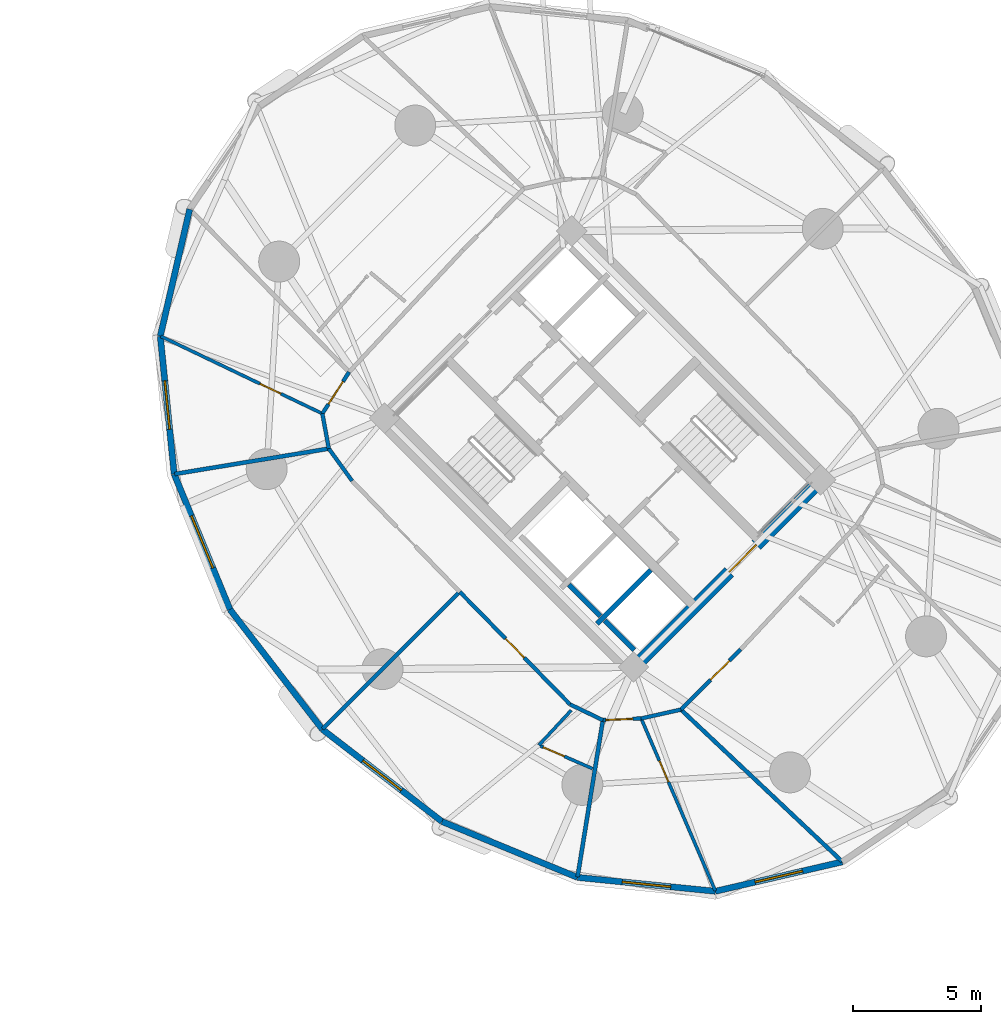
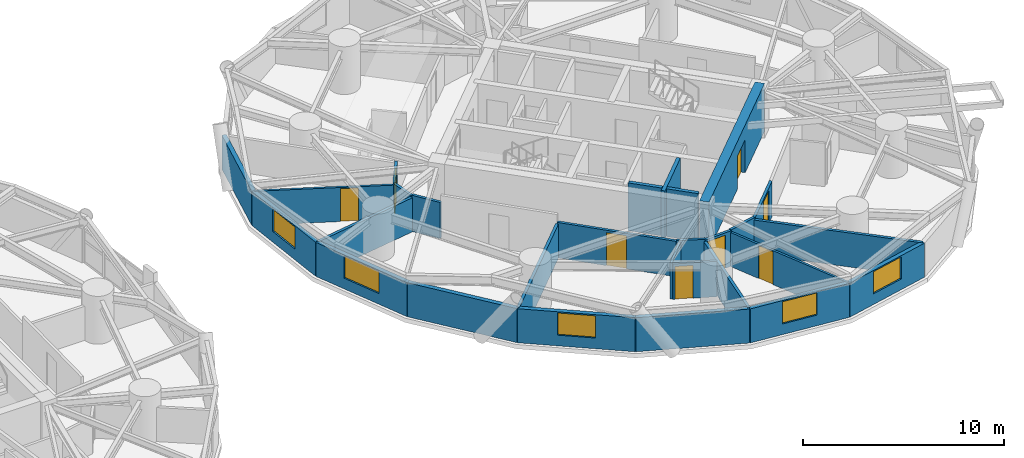
# One storey, part 12 of 18: 28 walls, 8 doors, 5 windows, 13 openings.
"""IFC4 building model written with IfcOpenShell, lengths in metres."""

import ifcopenshell
import ifcopenshell.guid

model = None  # the IFC model being written
_history = None  # IfcOwnerHistory: only IFC2X3 demands one
_inside = {}  # id of a spatial element -> (the spatial element, [elements in it])
_under = {}  # id of a project, library or spatial element -> (it, [spatial elements below it])
_declared = {}  # id of a project -> (the project, [libraries it declares])
_typed = {}  # id of a type object -> (the type object, [elements of that type])
_made_of = {}  # id of a material, layer set ... -> (it, [elements and type objects made of it])


def new_model(schema):
    """Start an empty IFC model of exactly this schema.

    Asked for "IFC4X3", IfcOpenShell would pick the latest addendum, in which some entities
    have other attributes; the version numbers below select the first issue.
    IFC2X3 requires an IfcOwnerHistory on every rooted entity: one is made here for all.
    """
    global model, _history
    if schema == "IFC4X3":
        model = ifcopenshell.file(schema_version=(4, 3, 0, 0))
    else:
        model = ifcopenshell.file(schema=schema)
    _inside.clear()
    _under.clear()
    _declared.clear()
    _typed.clear()
    _made_of.clear()
    _history = None
    if model.schema == "IFC2X3":
        org = make("IfcOrganization", Name="unknown")
        user = make(
            "IfcPersonAndOrganization",
            ThePerson=make("IfcPerson", FamilyName="unknown"),
            TheOrganization=org,
        )
        app = make(
            "IfcApplication",
            ApplicationDeveloper=org,
            Version="unknown",
            ApplicationFullName="unknown",
            ApplicationIdentifier="unknown",
        )
        _history = make(
            "IfcOwnerHistory",
            OwningUser=user,
            OwningApplication=app,
            ChangeAction="ADDED",
            CreationDate=0,
        )
    return model


def make(cls, **values):
    """One entity of the class cls with the attributes given. An attribute that is None is left unset."""
    return model.create_entity(
        cls, **{name: value for name, value in values.items() if value is not None}
    )


def rooted(cls, **values):
    """An entity with a GlobalId (a new one), such as an element, a storey or a relation."""
    return make(cls, GlobalId=ifcopenshell.guid.new(), OwnerHistory=_history, **values)


def si_unit(unit_type, name, prefix=None):
    """IfcSIUnit, for example si_unit("LENGTHUNIT", "METRE", prefix="MILLI")."""
    return make("IfcSIUnit", UnitType=unit_type, Prefix=prefix, Name=name)


def assignment(units):
    """IfcUnitAssignment: the units of a project."""
    return None if units is None else make("IfcUnitAssignment", Units=units)


def point(xyz):
    """IfcCartesianPoint."""
    return None if xyz is None else make("IfcCartesianPoint", Coordinates=xyz)


def direction(xyz):
    """IfcDirection."""
    return None if xyz is None else make("IfcDirection", DirectionRatios=xyz)


def frame(location, z_axis=None, x_axis=None):
    """IfcAxis2Placement3D, a coordinate frame: its origin and axes. An axis left out is left unset."""
    return make(
        "IfcAxis2Placement3D",
        Location=point(location),
        Axis=direction(z_axis),
        RefDirection=direction(x_axis),
    )


def frame_2d(location, x_axis=None):
    """IfcAxis2Placement2D, a coordinate frame in the plane: its origin and x axis."""
    return make(
        "IfcAxis2Placement2D", Location=point(location), RefDirection=direction(x_axis)
    )


def origin():
    """The frame at (0, 0, 0) with its axes left unset."""
    return frame((0.0, 0.0, 0.0))


def place(relative_to, where):
    """IfcLocalPlacement: puts the frame where relative to a parent placement (None: the world)."""
    return make(
        "IfcLocalPlacement", PlacementRelTo=relative_to, RelativePlacement=where
    )


def context(
    kind, dimensions, precision=None, world=None, true_north=None, identifier=None
):
    """IfcGeometricRepresentationContext, for example the 3D "Model" context."""
    return make(
        "IfcGeometricRepresentationContext",
        ContextIdentifier=identifier,
        ContextType=kind,
        CoordinateSpaceDimension=dimensions,
        Precision=precision,
        WorldCoordinateSystem=world,
        TrueNorth=true_north,
    )


def subcontext(parent, identifier, kind, view, scale=None):
    """IfcGeometricRepresentationSubContext, for example "Body" below "Model"."""
    return make(
        "IfcGeometricRepresentationSubContext",
        ContextIdentifier=identifier,
        ContextType=kind,
        ParentContext=parent,
        TargetScale=scale,
        TargetView=view,
    )


def project(units=None, contexts=None):
    """IfcProject with its units and contexts."""
    return rooted(
        "IfcProject",
        Name="project",
        RepresentationContexts=contexts,
        UnitsInContext=assignment(units),
    )


def spatial(cls, under=None, at=None, **own):
    """A site, building, storey or space (cls), placed at a placement, below another one or the project."""
    s = rooted(cls, ObjectPlacement=at, **own)
    if under is not None:
        _under.setdefault(under.id(), (under, []))[1].append(s)
    return s


def profile(cls, at=None, kind="AREA", **sizes):
    """A parametric profile (cls). Its sizes go by their IFC names, for example OverallWidth=200.0."""
    return make(cls, ProfileType=kind, Position=at, **sizes)


def rectangle(**sizes):
    """IfcRectangleProfileDef."""
    return profile("IfcRectangleProfileDef", **sizes)


def extrude(swept, where, along, depth):
    """IfcExtrudedAreaSolid: the profile swept, set in the frame where, extruded along a direction by depth."""
    return make(
        "IfcExtrudedAreaSolid",
        SweptArea=swept,
        Position=where,
        ExtrudedDirection=direction(along),
        Depth=depth,
    )


def shape(context_of_items, identifier, shape_type, items):
    """IfcShapeRepresentation: the items that make up one representation, for example the "Body"."""
    return make(
        "IfcShapeRepresentation",
        ContextOfItems=context_of_items,
        RepresentationIdentifier=identifier,
        RepresentationType=shape_type,
        Items=items,
    )


def source(mapping_origin, context_of_items, identifier, shape_type, items):
    """IfcRepresentationMap: a shape defined once, which mapped items show again and again."""
    return make(
        "IfcRepresentationMap",
        MappingOrigin=mapping_origin,
        MappedRepresentation=shape(context_of_items, identifier, shape_type, items),
    )


def transform(
    local_origin,
    x_axis=None,
    y_axis=None,
    z_axis=None,
    scale=None,
    scale2=None,
    scale3=None,
    uniform=True,
):
    """IfcCartesianTransformationOperator3D, or its non-uniform kind. x_axis, y_axis, z_axis: its Axis1, 2, 3."""
    if uniform:
        return make(
            "IfcCartesianTransformationOperator3D",
            Axis1=direction(x_axis),
            Axis2=direction(y_axis),
            LocalOrigin=point(local_origin),
            Scale=scale,
            Axis3=direction(z_axis),
        )
    return make(
        "IfcCartesianTransformationOperator3DnonUniform",
        Axis1=direction(x_axis),
        Axis2=direction(y_axis),
        LocalOrigin=point(local_origin),
        Scale=scale,
        Axis3=direction(z_axis),
        Scale2=scale2,
        Scale3=scale3,
    )


def mapped(mapping_source, mapping_target):
    """IfcMappedItem: shows the shape of a source again, moved by a transform."""
    return make(
        "IfcMappedItem", MappingSource=mapping_source, MappingTarget=mapping_target
    )


def material(Name=None, Category=None):
    """IfcMaterial."""
    return make("IfcMaterial", Name=Name, Category=Category)


def layer(
    of_material, thickness, ventilated=None, Name=None, Category=None, Priority=None
):
    """IfcMaterialLayer: one layer of a wall or slab, of a material (None: an air gap)."""
    return make(
        "IfcMaterialLayer",
        Material=of_material,
        LayerThickness=thickness,
        IsVentilated=ventilated,
        Name=Name,
        Category=Category,
        Priority=Priority,
    )


def layer_set(layers, Name=None):
    """IfcMaterialLayerSet."""
    return make("IfcMaterialLayerSet", MaterialLayers=layers, LayerSetName=Name)


def made_of(thing, what):
    """Note that an element or type object is made of a material, layer set ...; save() writes the relation."""
    if what is not None:
        _made_of.setdefault(what.id(), (what, []))[1].append(thing)
    return thing


def type_object(cls, material=None, **own):
    """A type object (cls), such as IfcWallType, which elements share."""
    return made_of(rooted(cls, **own), material)


def element(
    cls,
    number,
    at=None,
    inside=None,
    cuts=None,
    type_object=None,
    material=None,
    context=None,
    identifier="Body",
    shape_type=None,
    held_by="IfcProductDefinitionShape",
    body=None,
    shapes=None,
    **own,
):
    """One element of the class cls, such as IfcWall. Its Tag is "e" and its number.

    at: its placement. inside: the storey or other place that contains it. cuts: it is an
    opening in that element (IfcRelVoidsElement). A single representation is given by context,
    identifier, shape_type and body (its items); several are given by shapes. held_by: the class
    of the entity that holds the representations. save() writes the other relations.
    """
    e = rooted(cls, Tag="e%d" % number, ObjectPlacement=at, **own)
    if body is not None:
        shapes = [shape(context, identifier, shape_type, body)]
    if shapes is not None:
        e.Representation = make(held_by, Representations=shapes)
    if inside is not None:
        _inside.setdefault(inside.id(), (inside, []))[1].append(e)
    if cuts is not None:
        rooted(
            "IfcRelVoidsElement", RelatingBuildingElement=cuts, RelatedOpeningElement=e
        )
    if type_object is not None:
        _typed.setdefault(type_object.id(), (type_object, []))[1].append(e)
    return made_of(e, material)


def fill(opening, filler):
    """IfcRelFillsElement: the door or window that sits in an opening."""
    return rooted(
        "IfcRelFillsElement",
        RelatingOpeningElement=opening,
        RelatedBuildingElement=filler,
    )


def aggregate(whole, parts):
    """IfcRelAggregates: a whole, such as a stair, and the parts it consists of."""
    return rooted("IfcRelAggregates", RelatingObject=whole, RelatedObjects=parts)


def save(model, path):
    """Write the relations noted so far, then the file.

    IfcRelAggregates (storeys below a building ...), IfcRelContainedInSpatialStructure (elements
    in a storey), IfcRelDefinesByType, IfcRelAssociatesMaterial and IfcRelDeclares: one each for
    every whole, place, type object, material and project.
    """
    for whole, parts in _under.values():
        aggregate(whole, parts)
    for where, things in _inside.values():
        rooted(
            "IfcRelContainedInSpatialStructure",
            RelatedElements=things,
            RelatingStructure=where,
        )
    for kind, things in _typed.values():
        rooted("IfcRelDefinesByType", RelatedObjects=things, RelatingType=kind)
    for what, things in _made_of.values():
        rooted("IfcRelAssociatesMaterial", RelatedObjects=things, RelatingMaterial=what)
    for by, libraries in _declared.values():
        rooted("IfcRelDeclares", RelatingContext=by, RelatedDefinitions=libraries)
    model.write(path)


model = new_model("IFC4")

# Units and contexts
model_context = context("Model", 3, precision=1e-05, world=origin(), true_north=direction((0.0, 1.0)))
body_context = subcontext(model_context, "Body", "Model", "MODEL_VIEW")
ifc_project = project(units=[si_unit("LENGTHUNIT", "METRE"), si_unit("AREAUNIT", "SQUARE_METRE"), si_unit("VOLUMEUNIT", "CUBIC_METRE"), si_unit("PLANEANGLEUNIT", "RADIAN"), si_unit("MASSUNIT", "GRAM", prefix="KILO")], contexts=[model_context])

# Site, building, storey
site_placement = place(None, origin())
site = spatial("IfcSite", under=ifc_project, at=site_placement, CompositionType="ELEMENT")
building_placement = place(site_placement, origin())
building = spatial("IfcBuilding", under=site, at=building_placement, Name="Cununo Teusaquillo Station Towers", CompositionType="ELEMENT")
storey_placement = place(building_placement, frame((0.0, 0.0, 36.550048828125)))
storey = spatial("IfcBuildingStorey", under=building, at=storey_placement, Name="L10", CompositionType="ELEMENT", Elevation=36.550048828125)

# Walls
ifc_material_1 = material(Name="Concrete C50/60", Category="concrete")
ifc_layer_1 = layer(ifc_material_1, 0.199951171875)
ifc_layer_set_1 = layer_set([ifc_layer_1], Name="Concrete C50/60")
wall_type_1 = type_object("IfcWallType", Name="WL-CORE-200", PredefinedType="SHEAR", material=ifc_layer_set_1)
wall_1_placement = place(storey_placement, frame((57.2841796875, 17.6728515625, 0.0), z_axis=(0.0, 0.0, 1.0), x_axis=(0.707147878904, 0.70706568108, 0.0)))
element("IfcWall", 1, at=wall_1_placement, inside=storey, type_object=wall_type_1, Name="L10 Tower B High-Rise Lift Hoistway Divider Shear Wall", PredefinedType="SHEAR", context=body_context, shape_type="SweptSolid", body=[
    extrude(rectangle(XDim=2.97021484375, YDim=0.199951171875, at=frame_2d((1.485107421875, 0.0))), origin(), (0.0, 0.0, 1.0), 2.909912109375),
])
wall_2_placement = place(storey_placement, frame((57.41162109375, 17.969970703125, 0.0), z_axis=(0.0, 0.0, 1.0), x_axis=(-0.707106781187, 0.707106781187, 0.0)))
element("IfcWall", 2, at=wall_2_placement, inside=storey, type_object=wall_type_1, Name="L10 Tower B High-Rise Lift 2 Shaft Rear Shear Wall", PredefinedType="SHEAR", context=body_context, shape_type="SweptSolid", body=[
    extrude(rectangle(XDim=1.73486328125, YDim=0.199951171875, at=frame_2d((0.867431640625, 0.0))), origin(), (0.0, 0.0, 1.0), 2.909912109375),
])
wall_3_placement = place(storey_placement, frame((58.7373046875, 16.64404296875, 0.0), z_axis=(0.0, 0.0, 1.0), x_axis=(-0.707032117043, 0.707181437447, 0.0)))
element("IfcWall", 3, at=wall_3_placement, inside=storey, type_object=wall_type_1, Name="L10 Tower B High-Rise Lift 1 Shaft Rear Shear Wall", PredefinedType="SHEAR", context=body_context, shape_type="SweptSolid", body=[
    extrude(rectangle(XDim=1.635009765625, YDim=0.199951171875, at=frame_2d((0.8173828125, 0.0))), origin(), (0.0, 0.0, 1.0), 2.909912109375),
])

# Wall, opening, door
ifc_material_2 = material(Name="Concrete C60/75", Category="concrete")
ifc_layer_2 = layer(ifc_material_2, 0.5)
ifc_layer_set_2 = layer_set([ifc_layer_2], Name="Concrete C60/75")
wall_type_2 = type_object("IfcWallType", Name="WL-CORE-500", PredefinedType="SHEAR", material=ifc_layer_set_2)
wall_4_placement = place(storey_placement, frame((58.595947265625, 15.837890625, 0.0), z_axis=(0.0, 0.0, 1.0), x_axis=(0.707106781187, 0.707106781187, 0.0)))
wall_4 = element("IfcWall", 4, at=wall_4_placement, inside=storey, type_object=wall_type_2, Name="L10 Tower B Core Shear Wall S", PredefinedType="SHEAR", context=body_context, shape_type="SweptSolid", body=[
    extrude(rectangle(XDim=10.7001953125, YDim=0.5, at=frame_2d((5.35009765625, 0.0))), origin(), (0.0, 0.0, 1.0), 2.909912109375),
])
shared_shape_1 = source(origin(), body_context, "Body", "SweptSolid", [
    extrude(rectangle(XDim=1.5, YDim=2.02001953125, at=frame_2d((0.75, 1.010009765625))), frame((0.0, 0.260009765625, 0.0), z_axis=(0.0, -1.0, 0.0), x_axis=(1.0, 0.0, 0.0)), (0.0, 0.0, 1.0), 0.52001953125),
])
opening_1_placement = place(wall_4_placement, frame((5.449951171875, 0.0, 0.0)))
opening_1 = element("IfcOpeningElement", 5, at=opening_1_placement, cuts=wall_4, Name="Opening D-LB1", PredefinedType="OPENING", context=body_context, shape_type="MappedRepresentation", body=[
    mapped(shared_shape_1, transform((0.0, 0.0, 0.0), x_axis=(1.0, 0.0, 0.0), y_axis=(0.0, 1.0, 0.0), z_axis=(0.0, 0.0, 1.0), scale=1.0)),
])
ifc_material_3 = material(Name="Galvanised fire-rated hollow steel door assembly", Category="steel")
door_type_1 = type_object("IfcDoorType", Name="DR-LOBBY-1500", OperationType="DOUBLE_DOOR_SINGLE_SWING", PredefinedType="DOOR", material=ifc_material_3)
shared_shape_2 = source(origin(), body_context, "Body", "SweptSolid", [
    extrude(rectangle(XDim=1.5, YDim=2.02001953125, at=frame_2d((0.75, 1.010009765625))), frame((0.0, 0.02490234375, 0.0), z_axis=(0.0, -1.0, 0.0), x_axis=(1.0, 0.0, 0.0)), (0.0, 0.0, 1.0), 0.050048828125),
])
door_1_placement = place(opening_1_placement, origin())
door_1 = element("IfcDoor", 6, at=door_1_placement, inside=storey, type_object=door_type_1, Name="L10 Tower B South Core Lift Lobby Door", OperationType="DOUBLE_DOOR_SINGLE_SWING", OverallHeight=2.02001953125, OverallWidth=1.5, PredefinedType="DOOR", context=body_context, shape_type="MappedRepresentation", body=[
    mapped(shared_shape_2, transform((0.0, 0.0, 0.0), x_axis=(1.0, 0.0, 0.0), y_axis=(0.0, 1.0, 0.0), z_axis=(0.0, 0.0, 1.0), scale=1.0)),
])
fill(opening_1, door_1)

# Wall
ifc_material_4 = material(Name="Precast concrete C40/50", Category="concrete")
ifc_layer_3 = layer(ifc_material_4, 0.239990234375)
ifc_layer_set_3 = layer_set([ifc_layer_3], Name="Precast concrete C40/50")
wall_type_3 = type_object("IfcWallType", Name="WL-EXT-240", PredefinedType="SOLIDWALL", material=ifc_layer_set_3)
wall_5_placement = place(storey_placement, frame((40.2060546875, 28.91015625, 0.0), z_axis=(0.0, 0.0, 1.0), x_axis=(0.22582585901, 0.974167686491, 0.0)))
element("IfcWall", 7, at=wall_5_placement, inside=storey, type_object=wall_type_3, Name="L10 Tower B Exterior Facade Wall C06", PredefinedType="SOLIDWALL", context=body_context, shape_type="SweptSolid", body=[
    extrude(rectangle(XDim=5.092041015625, YDim=0.239990234375, at=frame_2d((2.5458984375, 0.0))), origin(), (0.0, 0.0, 1.0), 2.072998046875),
])

# Wall, opening, window
wall_6_placement = place(storey_placement, frame((40.7490234375, 23.51806640625, 0.0), z_axis=(0.0, 0.0, 1.0), x_axis=(-0.100190592135, 0.994968263437, 0.0)))
wall_6 = element("IfcWall", 8, at=wall_6_placement, inside=storey, type_object=wall_type_3, Name="L10 Tower B Exterior Facade Wall C07", PredefinedType="SOLIDWALL", context=body_context, shape_type="SweptSolid", body=[
    extrude(rectangle(XDim=5.41943359375, YDim=0.239990234375, at=frame_2d((2.709716796875, 0.0))), origin(), (0.0, 0.0, 1.0), 2.072998046875),
])
shared_shape_3 = source(origin(), body_context, "Body", "SweptSolid", [
    extrude(rectangle(XDim=1.89990234375, YDim=1.35009765625, at=frame_2d((0.949951171875, 0.675048828125))), frame((0.0, 0.1298828125, 0.0), z_axis=(0.0, -1.0, 0.0), x_axis=(1.0, 0.0, 0.0)), (0.0, 0.0, 1.0), 0.260009765625),
])
opening_2_placement = place(wall_6_placement, frame((1.760009765625, 0.0, 0.64990234375)))
opening_2 = element("IfcOpeningElement", 9, at=opening_2_placement, cuts=wall_6, Name="Opening WN-02", PredefinedType="OPENING", context=body_context, shape_type="MappedRepresentation", body=[
    mapped(shared_shape_3, transform((0.0, 0.0, 0.0), x_axis=(1.0, 0.0, 0.0), y_axis=(0.0, 1.0, 0.0), z_axis=(0.0, 0.0, 1.0), scale=1.0)),
])
ifc_material_5 = material(Name="Operable acoustic tinted low-E double glazing", Category="glass")
window_type_1 = type_object("IfcWindowType", Name="WIN-OPER-1900", PartitioningType="DOUBLE_PANEL_VERTICAL", PredefinedType="WINDOW", material=ifc_material_5)
shared_shape_4 = source(origin(), body_context, "Body", "SweptSolid", [
    extrude(rectangle(XDim=1.89990234375, YDim=1.35009765625, at=frame_2d((0.949951171875, 0.675048828125))), frame((0.0, 0.030029296875, 0.0), z_axis=(0.0, -1.0, 0.0), x_axis=(1.0, 0.0, 0.0)), (0.0, 0.0, 1.0), 0.06005859375),
])
window_1_placement = place(opening_2_placement, origin())
window_1 = element("IfcWindow", 10, at=window_1_placement, inside=storey, type_object=window_type_1, Name="L10 Tower B Facade Window C07", OverallHeight=1.35009765625, OverallWidth=1.89990234375, PartitioningType="DOUBLE_PANEL_VERTICAL", PredefinedType="WINDOW", context=body_context, shape_type="MappedRepresentation", body=[
    mapped(shared_shape_4, transform((0.0, 0.0, 0.0), x_axis=(1.0, 0.0, 0.0), y_axis=(0.0, 1.0, 0.0), z_axis=(0.0, 0.0, 1.0), scale=1.0)),
])
fill(opening_2, window_1)

wall_7_placement = place(storey_placement, frame((42.931884765625, 18.22216796875, 0.0), z_axis=(0.0, 0.0, 1.0), x_axis=(-0.381077764176, 0.924542988536, 0.0)))
wall_7 = element("IfcWall", 11, at=wall_7_placement, inside=storey, type_object=wall_type_3, Name="L10 Tower B Exterior Facade Wall C08", PredefinedType="SOLIDWALL", context=body_context, shape_type="SweptSolid", body=[
    extrude(rectangle(XDim=5.72802734375, YDim=0.239990234375, at=frame_2d((2.864013671875, 0.0))), origin(), (0.0, 0.0, 1.0), 2.072998046875),
])
shared_shape_5 = source(origin(), body_context, "Body", "SweptSolid", [
    extrude(rectangle(XDim=2.199951171875, YDim=1.35009765625, at=frame_2d((1.10009765625, 0.675048828125))), frame((0.0, 0.1298828125, 0.0), z_axis=(0.0, -1.0, 0.0), x_axis=(1.0, 0.0, 0.0)), (0.0, 0.0, 1.0), 0.260009765625),
])
opening_3_placement = place(wall_7_placement, frame((1.763916015625, 0.0, 0.64990234375)))
opening_3 = element("IfcOpeningElement", 12, at=opening_3_placement, cuts=wall_7, Name="Opening WN-01", PredefinedType="OPENING", context=body_context, shape_type="MappedRepresentation", body=[
    mapped(shared_shape_5, transform((0.0, 0.0, 0.0), x_axis=(1.0, 0.0, 0.0), y_axis=(0.0, 1.0, 0.0), z_axis=(0.0, 0.0, 1.0), scale=1.0)),
])
ifc_material_6 = material(Name="Ceramic-fritted dark low-E double glazing", Category="glass")
window_type_2 = type_object("IfcWindowType", Name="WIN-FRIT-2200", PartitioningType="DOUBLE_PANEL_VERTICAL", PredefinedType="WINDOW", material=ifc_material_6)
shared_shape_6 = source(origin(), body_context, "Body", "SweptSolid", [
    extrude(rectangle(XDim=2.199951171875, YDim=1.35009765625, at=frame_2d((1.10009765625, 0.675048828125))), frame((0.0, 0.030029296875, 0.0), z_axis=(0.0, -1.0, 0.0), x_axis=(1.0, 0.0, 0.0)), (0.0, 0.0, 1.0), 0.06005859375),
])
window_2_placement = place(opening_3_placement, origin())
window_2 = element("IfcWindow", 13, at=window_2_placement, inside=storey, type_object=window_type_2, Name="L10 Tower B Facade Window C08", OverallHeight=1.35009765625, OverallWidth=2.199951171875, PartitioningType="DOUBLE_PANEL_VERTICAL", PredefinedType="WINDOW", context=body_context, shape_type="MappedRepresentation", body=[
    mapped(shared_shape_6, transform((0.0, 0.0, 0.0), x_axis=(1.0, 0.0, 0.0), y_axis=(0.0, 1.0, 0.0), z_axis=(0.0, 0.0, 1.0), scale=1.0)),
])
fill(opening_3, window_2)

# Wall
wall_8_placement = place(storey_placement, frame((46.54052734375, 13.54052734375, 0.0), z_axis=(0.0, 0.0, 1.0), x_axis=(-0.610494906082, 0.792020182601, 0.0)))
element("IfcWall", 14, at=wall_8_placement, inside=storey, type_object=wall_type_3, Name="L10 Tower B Exterior Facade Wall C09", PredefinedType="SOLIDWALL", context=body_context, shape_type="SweptSolid", body=[
    extrude(rectangle(XDim=5.9111328125, YDim=0.239990234375, at=frame_2d((2.95556640625, 0.0))), origin(), (0.0, 0.0, 1.0), 2.072998046875),
])

# Wall, opening, window
wall_9_placement = place(storey_placement, frame((51.22216796875, 9.931884765625, 0.0), z_axis=(0.0, 0.0, 1.0), x_axis=(-0.792020182601, 0.610494906082, 0.0)))
wall_9 = element("IfcWall", 15, at=wall_9_placement, inside=storey, type_object=wall_type_3, Name="L10 Tower B Exterior Facade Wall C10", PredefinedType="SOLIDWALL", context=body_context, shape_type="SweptSolid", body=[
    extrude(rectangle(XDim=5.9111328125, YDim=0.239990234375, at=frame_2d((2.95556640625, 0.0))), origin(), (0.0, 0.0, 1.0), 2.072998046875),
])
opening_4_placement = place(wall_9_placement, frame((2.0048828125, 0.0, 0.64990234375)))
opening_4 = element("IfcOpeningElement", 16, at=opening_4_placement, cuts=wall_9, Name="Opening WN-02", PredefinedType="OPENING", context=body_context, shape_type="MappedRepresentation", body=[
    mapped(shared_shape_3, transform((0.0, 0.0, 0.0), x_axis=(1.0, 0.0, 0.0), y_axis=(0.0, 1.0, 0.0), z_axis=(0.0, 0.0, 1.0), scale=1.0)),
])
window_3_placement = place(opening_4_placement, origin())
window_3 = element("IfcWindow", 17, at=window_3_placement, inside=storey, type_object=window_type_1, Name="L10 Tower B Facade Window C10", OverallHeight=1.35009765625, OverallWidth=1.89990234375, PartitioningType="DOUBLE_PANEL_VERTICAL", PredefinedType="WINDOW", context=body_context, shape_type="MappedRepresentation", body=[
    mapped(shared_shape_4, transform((0.0, 0.0, 0.0), x_axis=(1.0, 0.0, 0.0), y_axis=(0.0, 1.0, 0.0), z_axis=(0.0, 0.0, 1.0), scale=1.0)),
])
fill(opening_4, window_3)

# Wall
wall_10_placement = place(storey_placement, frame((56.51806640625, 7.7490234375, 0.0), z_axis=(0.0, 0.0, 1.0), x_axis=(-0.924542988536, 0.381077764176, 0.0)))
element("IfcWall", 18, at=wall_10_placement, inside=storey, type_object=wall_type_3, Name="L10 Tower B Exterior Facade Wall C11", PredefinedType="SOLIDWALL", context=body_context, shape_type="SweptSolid", body=[
    extrude(rectangle(XDim=5.72802734375, YDim=0.239990234375, at=frame_2d((2.864013671875, 0.0))), origin(), (0.0, 0.0, 1.0), 2.072998046875),
])

# Wall, opening, window
wall_11_placement = place(storey_placement, frame((61.91015625, 7.2060546875, 0.0), z_axis=(0.0, 0.0, 1.0), x_axis=(-0.994968263437, 0.100190592135, 0.0)))
wall_11 = element("IfcWall", 19, at=wall_11_placement, inside=storey, type_object=wall_type_3, Name="L10 Tower B Exterior Facade Wall C12", PredefinedType="SOLIDWALL", context=body_context, shape_type="SweptSolid", body=[
    extrude(rectangle(XDim=5.41943359375, YDim=0.239990234375, at=frame_2d((2.709716796875, 0.0))), origin(), (0.0, 0.0, 1.0), 2.072998046875),
])
opening_5_placement = place(wall_11_placement, frame((1.760009765625, 0.0, 0.64990234375)))
opening_5 = element("IfcOpeningElement", 20, at=opening_5_placement, cuts=wall_11, Name="Opening WN-02", PredefinedType="OPENING", context=body_context, shape_type="MappedRepresentation", body=[
    mapped(shared_shape_3, transform((0.0, 0.0, 0.0), x_axis=(1.0, 0.0, 0.0), y_axis=(0.0, 1.0, 0.0), z_axis=(0.0, 0.0, 1.0), scale=1.0)),
])
window_4_placement = place(opening_5_placement, origin())
window_4 = element("IfcWindow", 21, at=window_4_placement, inside=storey, type_object=window_type_1, Name="L10 Tower B Facade Window C12", OverallHeight=1.35009765625, OverallWidth=1.89990234375, PartitioningType="DOUBLE_PANEL_VERTICAL", PredefinedType="WINDOW", context=body_context, shape_type="MappedRepresentation", body=[
    mapped(shared_shape_4, transform((0.0, 0.0, 0.0), x_axis=(1.0, 0.0, 0.0), y_axis=(0.0, 1.0, 0.0), z_axis=(0.0, 0.0, 1.0), scale=1.0)),
])
fill(opening_5, window_4)

wall_12_placement = place(storey_placement, frame((66.87060546875, 8.35595703125, 0.0), z_axis=(0.0, 0.0, 1.0), x_axis=(-0.974167686491, -0.22582585901, 0.0)))
wall_12 = element("IfcWall", 22, at=wall_12_placement, inside=storey, type_object=wall_type_3, Name="L10 Tower B Exterior Facade Wall C13", PredefinedType="SOLIDWALL", context=body_context, shape_type="SweptSolid", body=[
    extrude(rectangle(XDim=5.092041015625, YDim=0.239990234375, at=frame_2d((2.5458984375, 0.0))), origin(), (0.0, 0.0, 1.0), 2.072998046875),
])
opening_6_placement = place(wall_12_placement, frame((1.595947265625, 0.0, 0.64990234375)))
opening_6 = element("IfcOpeningElement", 23, at=opening_6_placement, cuts=wall_12, Name="Opening WN-02", PredefinedType="OPENING", context=body_context, shape_type="MappedRepresentation", body=[
    mapped(shared_shape_3, transform((0.0, 0.0, 0.0), x_axis=(1.0, 0.0, 0.0), y_axis=(0.0, 1.0, 0.0), z_axis=(0.0, 0.0, 1.0), scale=1.0)),
])
window_5_placement = place(opening_6_placement, origin())
window_5 = element("IfcWindow", 24, at=window_5_placement, inside=storey, type_object=window_type_1, Name="L10 Tower B Facade Window C13", OverallHeight=1.35009765625, OverallWidth=1.89990234375, PartitioningType="DOUBLE_PANEL_VERTICAL", PredefinedType="WINDOW", context=body_context, shape_type="MappedRepresentation", body=[
    mapped(shared_shape_4, transform((0.0, 0.0, 0.0), x_axis=(1.0, 0.0, 0.0), y_axis=(0.0, 1.0, 0.0), z_axis=(0.0, 0.0, 1.0), scale=1.0)),
])
fill(opening_6, window_5)

# Wall, opening, door
ifc_material_7 = material(Name="Fire-rated gypsum plasterboard partition assembly", Category="gypsum")
ifc_layer_4 = layer(ifc_material_7, 0.125)
ifc_layer_set_4 = layer_set([ifc_layer_4], Name="Fire-rated gypsum plasterboard partition assembly")
wall_type_4 = type_object("IfcWallType", Name="WL-PART-125", PredefinedType="PARTITIONING", material=ifc_layer_set_4)
wall_13_placement = place(storey_placement, frame((46.543212890625, 25.882080078125, 0.0), z_axis=(0.0, 0.0, 1.0), x_axis=(-0.901937110034, 0.431867398103, 0.0)))
wall_13 = element("IfcWall", 25, at=wall_13_placement, inside=storey, type_object=wall_type_4, Name="L10 Tower B Hotel Executive Meeting Room Suite Subdividing Wall", PredefinedType="PARTITIONING", context=body_context, shape_type="SweptSolid", body=[
    extrude(rectangle(XDim=7.004150390625, YDim=0.125, at=frame_2d((3.501953125, 0.0))), origin(), (0.0, 0.0, 1.0), 2.072998046875),
])
shared_shape_7 = source(origin(), body_context, "Body", "SweptSolid", [
    extrude(rectangle(XDim=0.89990234375, YDim=2.0048828125, at=frame_2d((0.449951171875, 1.00244140625))), frame((0.0, 0.072509765625, 0.0), z_axis=(0.0, -1.0, 0.0), x_axis=(1.0, 0.0, 0.0)), (0.0, 0.0, 1.0), 0.14501953125),
])
opening_7_placement = place(wall_13_placement, frame((1.800048828125, 0.0, 0.0)))
opening_7 = element("IfcOpeningElement", 26, at=opening_7_placement, cuts=wall_13, Name="Opening D-IN1", PredefinedType="OPENING", context=body_context, shape_type="MappedRepresentation", body=[
    mapped(shared_shape_7, transform((0.0, 0.0, 0.0), x_axis=(1.0, 0.0, 0.0), y_axis=(0.0, 1.0, 0.0), z_axis=(0.0, 0.0, 1.0), scale=1.0)),
])
ifc_material_8 = material(Name="Acoustic solid-core hardwood leaf assembly", Category="wood")
door_type_2 = type_object("IfcDoorType", Name="DR-INT-900", OperationType="NOTDEFINED", PredefinedType="DOOR", material=ifc_material_8)
shared_shape_8 = source(origin(), body_context, "Body", "SweptSolid", [
    extrude(rectangle(XDim=0.89990234375, YDim=2.0048828125, at=frame_2d((0.449951171875, 1.00244140625))), frame((0.0, 0.02490234375, 0.0), z_axis=(0.0, -1.0, 0.0), x_axis=(1.0, 0.0, 0.0)), (0.0, 0.0, 1.0), 0.050048828125),
])
door_2_placement = place(opening_7_placement, origin())
door_2 = element("IfcDoor", 27, at=door_2_placement, inside=storey, type_object=door_type_2, Name="L10 Tower B Hotel Executive Meeting Room Suite Connecting Door", OperationType="SINGLE_SWING_LEFT", OverallHeight=2.0048828125, OverallWidth=0.89990234375, PredefinedType="DOOR", context=body_context, shape_type="MappedRepresentation", body=[
    mapped(shared_shape_8, transform((0.0, 0.0, 0.0), x_axis=(1.0, 0.0, 0.0), y_axis=(0.0, 1.0, 0.0), z_axis=(0.0, 0.0, 1.0), scale=1.0)),
])
fill(opening_7, door_2)

# Wall
wall_14_placement = place(storey_placement, frame((56.27392578125, 14.283203125, 0.0), z_axis=(0.0, 0.0, 1.0), x_axis=(-0.679968993343, -0.733240866354, 0.0)))
element("IfcWall", 28, at=wall_14_placement, inside=storey, type_object=wall_type_4, Name="L10 Tower B S05 En-suite Side Wall", PredefinedType="PARTITIONING", context=body_context, shape_type="SweptSolid", body=[
    extrude(rectangle(XDim=1.865234375, YDim=0.125, at=frame_2d((0.9326171875, 0.0))), origin(), (0.0, 0.0, 1.0), 2.204833984375),
])

# Wall, opening, door
wall_15_placement = place(storey_placement, frame((55.069091796875, 12.8876953125, 0.0), z_axis=(0.0, 0.0, 1.0), x_axis=(0.916790743628, -0.399367916085, 0.0)))
wall_15 = element("IfcWall", 29, at=wall_15_placement, inside=storey, type_object=wall_type_4, Name="L10 Tower B S05 En-suite Back Wall", PredefinedType="PARTITIONING", context=body_context, shape_type="SweptSolid", body=[
    extrude(rectangle(XDim=2.22509765625, YDim=0.125, at=frame_2d((1.112548828125, 0.0))), origin(), (0.0, 0.0, 1.0), 2.158935546875),
])
opening_8_placement = place(wall_15_placement, frame((0.1201171875, 0.0, 0.0)))
opening_8 = element("IfcOpeningElement", 30, at=opening_8_placement, cuts=wall_15, Name="Opening D-IN1", PredefinedType="OPENING", context=body_context, shape_type="MappedRepresentation", body=[
    mapped(shared_shape_7, transform((0.0, 0.0, 0.0), x_axis=(1.0, 0.0, 0.0), y_axis=(0.0, 1.0, 0.0), z_axis=(0.0, 0.0, 1.0), scale=1.0)),
])
door_3_placement = place(opening_8_placement, origin())
door_3 = element("IfcDoor", 31, at=door_3_placement, inside=storey, type_object=door_type_2, Name="L10 Tower B S05 En-suite Bathroom Door", OperationType="SINGLE_SWING_RIGHT", OverallHeight=2.0048828125, OverallWidth=0.89990234375, PredefinedType="DOOR", context=body_context, shape_type="MappedRepresentation", body=[
    mapped(shared_shape_8, transform((0.0, 0.0, 0.0), x_axis=(1.0, 0.0, 0.0), y_axis=(0.0, 1.0, 0.0), z_axis=(0.0, 0.0, 1.0), scale=1.0)),
])
fill(opening_8, door_3)

wall_16_placement = place(storey_placement, frame((59.008056640625, 13.962890625, 0.0), z_axis=(0.0, 0.0, 1.0), x_axis=(0.395256697593, -0.918570706592, 0.0)))
wall_16 = element("IfcWall", 32, at=wall_16_placement, inside=storey, type_object=wall_type_4, Name="L10 Tower B Hotel Tea & Reading Salon Suite Subdividing Wall", PredefinedType="PARTITIONING", context=body_context, shape_type="SweptSolid", body=[
    extrude(rectangle(XDim=7.334228515625, YDim=0.125, at=frame_2d((3.6669921875, 0.0))), origin(), (0.0, 0.0, 1.0), 2.072998046875),
])
opening_9_placement = place(wall_16_placement, frame((1.800048828125, 0.0, 0.0)))
opening_9 = element("IfcOpeningElement", 33, at=opening_9_placement, cuts=wall_16, Name="Opening D-IN1", PredefinedType="OPENING", context=body_context, shape_type="MappedRepresentation", body=[
    mapped(shared_shape_7, transform((0.0, 0.0, 0.0), x_axis=(1.0, 0.0, 0.0), y_axis=(0.0, 1.0, 0.0), z_axis=(0.0, 0.0, 1.0), scale=1.0)),
])
door_4_placement = place(opening_9_placement, origin())
door_4 = element("IfcDoor", 34, at=door_4_placement, inside=storey, type_object=door_type_2, Name="L10 Tower B Hotel Tea & Reading Salon Suite Connecting Door", OperationType="SINGLE_SWING_RIGHT", OverallHeight=2.0048828125, OverallWidth=0.89990234375, PredefinedType="DOOR", context=body_context, shape_type="MappedRepresentation", body=[
    mapped(shared_shape_8, transform((0.0, 0.0, 0.0), x_axis=(1.0, 0.0, 0.0), y_axis=(0.0, 1.0, 0.0), z_axis=(0.0, 0.0, 1.0), scale=1.0)),
])
fill(opening_9, door_4)

ifc_material_9 = material(Name="Fire-rated gypsum plasterboard partition assembly", Category="gypsum")
ifc_layer_5 = layer(ifc_material_9, 0.14990234375)
ifc_layer_set_5 = layer_set([ifc_layer_5], Name="Fire-rated gypsum plasterboard partition assembly")
wall_type_5 = type_object("IfcWallType", Name="WL-PART-150", PredefinedType="PARTITIONING", material=ifc_layer_set_5)
wall_17_placement = place(storey_placement, frame((47.58837890625, 27.51025390625, 0.0), z_axis=(0.0, 0.0, 1.0), x_axis=(-0.540202619347, -0.841534984449, 0.0)))
wall_17 = element("IfcWall", 35, at=wall_17_placement, inside=storey, type_object=wall_type_5, Name="L10 Tower B Corridor Ring Wall C06", PredefinedType="PARTITIONING", context=body_context, shape_type="SweptSolid", body=[
    extrude(rectangle(XDim=1.934814453125, YDim=0.14990234375, at=frame_2d((0.96728515625, 0.0))), origin(), (0.0, 0.0, 1.0), 2.158935546875),
])
shared_shape_9 = source(origin(), body_context, "Body", "SweptSolid", [
    extrude(rectangle(XDim=1.050048828125, YDim=2.014892578125, at=frame_2d((0.52490234375, 1.00732421875))), frame((0.0, 0.0849609375, 0.0), z_axis=(0.0, -1.0, 0.0), x_axis=(1.0, 0.0, 0.0)), (0.0, 0.0, 1.0), 0.169921875),
])
opening_10_placement = place(wall_17_placement, frame((0.4423828125, 0.0, 0.0)))
opening_10 = element("IfcOpeningElement", 36, at=opening_10_placement, cuts=wall_17, Name="Opening D-SU1", PredefinedType="OPENING", context=body_context, shape_type="MappedRepresentation", body=[
    mapped(shared_shape_9, transform((0.0, 0.0, 0.0), x_axis=(1.0, 0.0, 0.0), y_axis=(0.0, 1.0, 0.0), z_axis=(0.0, 0.0, 1.0), scale=1.0)),
])
ifc_material_10 = material(Name="Acoustic solid-core hardwood leaf assembly", Category="wood")
door_type_3 = type_object("IfcDoorType", Name="DR-SUITE-1050", OperationType="NOTDEFINED", PredefinedType="DOOR", material=ifc_material_10)
shared_shape_10 = source(origin(), body_context, "Body", "SweptSolid", [
    extrude(rectangle(XDim=1.050048828125, YDim=2.014892578125, at=frame_2d((0.52490234375, 1.00732421875))), frame((0.0, 0.02490234375, 0.0), z_axis=(0.0, -1.0, 0.0), x_axis=(1.0, 0.0, 0.0)), (0.0, 0.0, 1.0), 0.050048828125),
])
door_5_placement = place(opening_10_placement, origin())
door_5 = element("IfcDoor", 37, at=door_5_placement, inside=storey, type_object=door_type_3, Name="L10 Tower B Hotel Executive Meeting Room Entrance Door", OperationType="SINGLE_SWING_RIGHT", OverallHeight=2.014892578125, OverallWidth=1.050048828125, PredefinedType="DOOR", context=body_context, shape_type="MappedRepresentation", body=[
    mapped(shared_shape_10, transform((0.0, 0.0, 0.0), x_axis=(1.0, 0.0, 0.0), y_axis=(0.0, 1.0, 0.0), z_axis=(0.0, 0.0, 1.0), scale=1.0)),
])
fill(opening_10, door_5)

# Walls
wall_18_placement = place(storey_placement, frame((46.543212890625, 25.882080078125, 0.0), z_axis=(0.0, 0.0, 1.0), x_axis=(0.181153502579, -0.983454832976, 0.0)))
element("IfcWall", 38, at=wall_18_placement, inside=storey, type_object=wall_type_5, Name="L10 Tower B Corridor Ring Wall C07", PredefinedType="PARTITIONING", context=body_context, shape_type="SweptSolid", body=[
    extrude(rectangle(XDim=1.39208984375, YDim=0.14990234375, at=frame_2d((0.696044921875, 0.0))), origin(), (0.0, 0.0, 1.0), 2.158935546875),
])
wall_19_placement = place(storey_placement, frame((46.79541015625, 24.512939453125, 0.0), z_axis=(0.0, 0.0, 1.0), x_axis=(0.585628197524, -0.810579801294, 0.0)))
element("IfcWall", 39, at=wall_19_placement, inside=storey, type_object=wall_type_5, Name="L10 Tower B Corridor Ring Wall C08", PredefinedType="PARTITIONING", context=body_context, shape_type="SweptSolid", body=[
    extrude(rectangle(XDim=1.55419921875, YDim=0.14990234375, at=frame_2d((0.777099609375, 0.0))), origin(), (0.0, 0.0, 1.0), 2.204833984375),
])

# Wall, opening, door
wall_20_placement = place(storey_placement, frame((51.913818359375, 18.913818359375, 0.0), z_axis=(0.0, 0.0, 1.0), x_axis=(0.699999313799, -0.714143515465, 0.0)))
wall_20 = element("IfcWall", 40, at=wall_20_placement, inside=storey, type_object=wall_type_5, Name="L10 Tower B Corridor Ring Wall C10", PredefinedType="PARTITIONING", context=body_context, shape_type="SweptSolid", body=[
    extrude(rectangle(XDim=6.162109375, YDim=0.14990234375, at=frame_2d((3.0810546875, 0.0))), origin(), (0.0, 0.0, 1.0), 2.158935546875),
])
opening_11_placement = place(wall_20_placement, frame((2.55615234375, 0.0, 0.0)))
opening_11 = element("IfcOpeningElement", 41, at=opening_11_placement, cuts=wall_20, Name="Opening D-SU1", PredefinedType="OPENING", context=body_context, shape_type="MappedRepresentation", body=[
    mapped(shared_shape_9, transform((0.0, 0.0, 0.0), x_axis=(1.0, 0.0, 0.0), y_axis=(0.0, 1.0, 0.0), z_axis=(0.0, 0.0, 1.0), scale=1.0)),
])
door_6_placement = place(opening_11_placement, origin())
door_6 = element("IfcDoor", 42, at=door_6_placement, inside=storey, type_object=door_type_3, Name="L10 Tower B Ambassador Hospitality Suite Entrance Door", OperationType="SINGLE_SWING_LEFT", OverallHeight=2.014892578125, OverallWidth=1.050048828125, PredefinedType="DOOR", context=body_context, shape_type="MappedRepresentation", body=[
    mapped(shared_shape_10, transform((0.0, 0.0, 0.0), x_axis=(1.0, 0.0, 0.0), y_axis=(0.0, 1.0, 0.0), z_axis=(0.0, 0.0, 1.0), scale=1.0)),
])
fill(opening_11, door_6)

# Wall
wall_21_placement = place(storey_placement, frame((56.227294921875, 14.51318359375, 0.0), z_axis=(0.0, 0.0, 1.0), x_axis=(0.901477579283, -0.432825801044, 0.0)))
element("IfcWall", 43, at=wall_21_placement, inside=storey, type_object=wall_type_5, Name="L10 Tower B Corridor Ring Wall C11", PredefinedType="PARTITIONING", context=body_context, shape_type="SweptSolid", body=[
    extrude(rectangle(XDim=1.42431640625, YDim=0.14990234375, at=frame_2d((0.712158203125, 0.0))), origin(), (0.0, 0.0, 1.0), 2.204833984375),
])

# Wall, opening, door
wall_22_placement = place(storey_placement, frame((57.51123046875, 13.896728515625, 0.0), z_axis=(0.0, 0.0, 1.0), x_axis=(0.999024538494, 0.044158481476, 0.0)))
wall_22 = element("IfcWall", 44, at=wall_22_placement, inside=storey, type_object=wall_type_5, Name="L10 Tower B Corridor Ring Wall C12", PredefinedType="PARTITIONING", context=body_context, shape_type="SweptSolid", body=[
    extrude(rectangle(XDim=1.498291015625, YDim=0.14990234375, at=frame_2d((0.7490234375, 0.0))), origin(), (0.0, 0.0, 1.0), 2.158935546875),
])
opening_12_placement = place(wall_22_placement, frame((0.1201171875, 0.0, 0.0)))
opening_12 = element("IfcOpeningElement", 45, at=opening_12_placement, cuts=wall_22, Name="Opening D-SU1", PredefinedType="OPENING", context=body_context, shape_type="MappedRepresentation", body=[
    mapped(shared_shape_9, transform((0.0, 0.0, 0.0), x_axis=(1.0, 0.0, 0.0), y_axis=(0.0, 1.0, 0.0), z_axis=(0.0, 0.0, 1.0), scale=1.0)),
])
door_7_placement = place(opening_12_placement, origin())
door_7 = element("IfcDoor", 46, at=door_7_placement, inside=storey, type_object=door_type_3, Name="L10 Tower B Hotel Tea & Reading Salon Entrance Door", OperationType="SINGLE_SWING_LEFT", OverallHeight=2.014892578125, OverallWidth=1.050048828125, PredefinedType="DOOR", context=body_context, shape_type="MappedRepresentation", body=[
    mapped(shared_shape_10, transform((0.0, 0.0, 0.0), x_axis=(1.0, 0.0, 0.0), y_axis=(0.0, 1.0, 0.0), z_axis=(0.0, 0.0, 1.0), scale=1.0)),
])
fill(opening_12, door_7)

# Wall
wall_23_placement = place(storey_placement, frame((59.008056640625, 13.962890625, 0.0), z_axis=(0.0, 0.0, 1.0), x_axis=(0.976020856791, 0.21767702476, 0.0)))
element("IfcWall", 47, at=wall_23_placement, inside=storey, type_object=wall_type_5, Name="L10 Tower B Corridor Ring Wall C13", PredefinedType="PARTITIONING", context=body_context, shape_type="SweptSolid", body=[
    extrude(rectangle(XDim=1.592529296875, YDim=0.14990234375, at=frame_2d((0.79638671875, 0.0))), origin(), (0.0, 0.0, 1.0), 2.204833984375),
])

# Wall, opening, door
wall_24_placement = place(storey_placement, frame((60.5625, 14.3095703125, 0.0), z_axis=(0.0, 0.0, 1.0), x_axis=(0.704566236161, 0.709638230975, 0.0)))
wall_24 = element("IfcWall", 48, at=wall_24_placement, inside=storey, type_object=wall_type_5, Name="L10 Tower B Corridor Ring Wall C14", PredefinedType="PARTITIONING", context=body_context, shape_type="SweptSolid", body=[
    extrude(rectangle(XDim=3.3212890625, YDim=0.14990234375, at=frame_2d((1.66064453125, 0.0))), origin(), (0.0, 0.0, 1.0), 2.158935546875),
])
opening_13_placement = place(wall_24_placement, frame((1.643310546875, 0.0, 0.0)))
opening_13 = element("IfcOpeningElement", 49, at=opening_13_placement, cuts=wall_24, Name="Opening D-SU1", PredefinedType="OPENING", context=body_context, shape_type="MappedRepresentation", body=[
    mapped(shared_shape_9, transform((0.0, 0.0, 0.0), x_axis=(1.0, 0.0, 0.0), y_axis=(0.0, 1.0, 0.0), z_axis=(0.0, 0.0, 1.0), scale=1.0)),
])
door_8_placement = place(opening_13_placement, origin())
door_8 = element("IfcDoor", 50, at=door_8_placement, inside=storey, type_object=door_type_3, Name="L10 Tower B Diplomatic Corner Hotel Suite Entrance Door", OperationType="SINGLE_SWING_LEFT", OverallHeight=2.014892578125, OverallWidth=1.050048828125, PredefinedType="DOOR", context=body_context, shape_type="MappedRepresentation", body=[
    mapped(shared_shape_10, transform((0.0, 0.0, 0.0), x_axis=(1.0, 0.0, 0.0), y_axis=(0.0, 1.0, 0.0), z_axis=(0.0, 0.0, 1.0), scale=1.0)),
])
fill(opening_13, door_8)

# Walls
ifc_material_11 = material(Name="Fire-rated gypsum plasterboard partition assembly", Category="gypsum")
ifc_layer_6 = layer(ifc_material_11, 0.159912109375)
ifc_layer_set_6 = layer_set([ifc_layer_6], Name="Fire-rated gypsum plasterboard partition assembly")
wall_type_6 = type_object("IfcWallType", Name="WL-PART-160", PredefinedType="PARTITIONING", material=ifc_layer_set_6)
wall_25_placement = place(storey_placement, frame((46.79541015625, 24.512939453125, 0.0), z_axis=(0.0, 0.0, 1.0), x_axis=(-0.986729986004, -0.162369746937, 0.0)))
element("IfcWall", 51, at=wall_25_placement, inside=storey, type_object=wall_type_6, Name="L10 Tower B Radial Suite Partition R05", PredefinedType="PARTITIONING", context=body_context, shape_type="SweptSolid", body=[
    extrude(rectangle(XDim=6.107666015625, YDim=0.159912109375, at=frame_2d((3.0537109375, 0.0))), origin(), (0.0, 0.0, 1.0), 2.072998046875),
])
wall_26_placement = place(storey_placement, frame((51.913818359375, 18.913818359375, 0.0), z_axis=(0.0, 0.0, 1.0), x_axis=(-0.707106781187, -0.707106781187, 0.0)))
element("IfcWall", 52, at=wall_26_placement, inside=storey, type_object=wall_type_6, Name="L10 Tower B Radial Suite Partition R06", PredefinedType="PARTITIONING", context=body_context, shape_type="SweptSolid", body=[
    extrude(rectangle(XDim=7.578857421875, YDim=0.159912109375, at=frame_2d((3.78955078125, 0.0))), origin(), (0.0, 0.0, 1.0), 2.072998046875),
])
wall_27_placement = place(storey_placement, frame((57.51123046875, 13.896728515625, 0.0), z_axis=(0.0, 0.0, 1.0), x_axis=(-0.159485929017, -0.987200201806, 0.0)))
element("IfcWall", 53, at=wall_27_placement, inside=storey, type_object=wall_type_6, Name="L10 Tower B Radial Suite Partition R07", PredefinedType="PARTITIONING", context=body_context, shape_type="SweptSolid", body=[
    extrude(rectangle(XDim=6.207275390625, YDim=0.159912109375, at=frame_2d((3.103515625, 0.0))), origin(), (0.0, 0.0, 1.0), 2.072998046875),
])
wall_28_placement = place(storey_placement, frame((60.5625, 14.3095703125, 0.0), z_axis=(0.0, 0.0, 1.0), x_axis=(0.727781661561, -0.685808904211, 0.0)))
element("IfcWall", 54, at=wall_28_placement, inside=storey, type_object=wall_type_6, Name="L10 Tower B Radial Suite Partition R08", PredefinedType="PARTITIONING", context=body_context, shape_type="SweptSolid", body=[
    extrude(rectangle(XDim=8.6552734375, YDim=0.159912109375, at=frame_2d((4.32763671875, 0.0))), origin(), (0.0, 0.0, 1.0), 2.072998046875),
])

save(model, "model.ifc")
